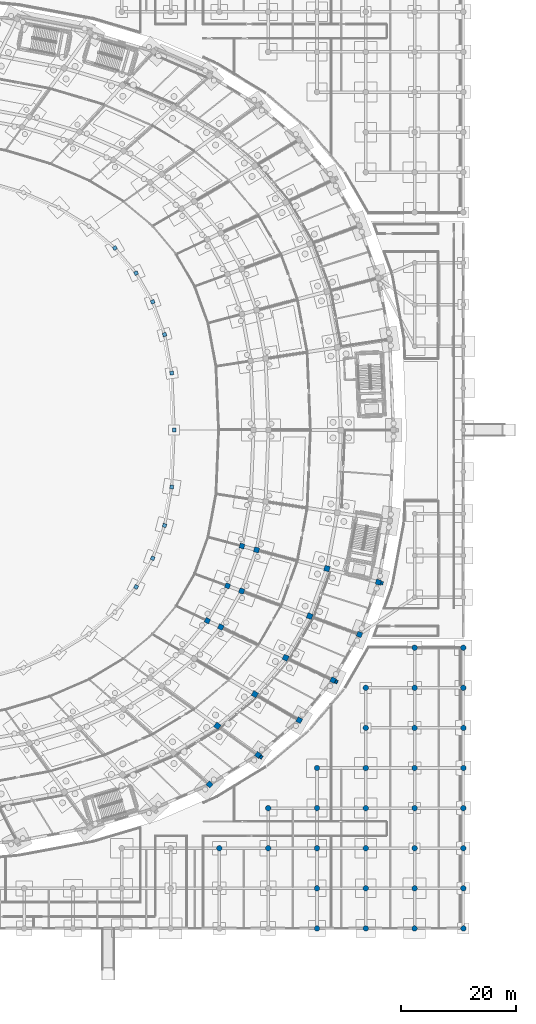
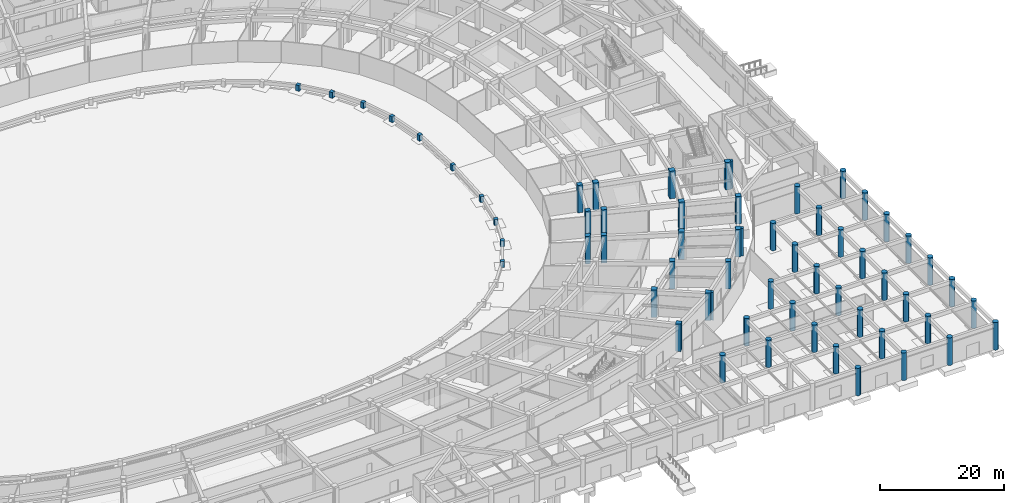
# One storey, part 19 of 88: 61 columns.
"""IFC4 building model written with IfcOpenShell, lengths in metres."""

import ifcopenshell
import ifcopenshell.guid

model = None  # the IFC model being written
_history = None  # IfcOwnerHistory: only IFC2X3 demands one
_inside = {}  # id of a spatial element -> (the spatial element, [elements in it])
_under = {}  # id of a project, library or spatial element -> (it, [spatial elements below it])
_declared = {}  # id of a project -> (the project, [libraries it declares])
_typed = {}  # id of a type object -> (the type object, [elements of that type])
_made_of = {}  # id of a material, layer set ... -> (it, [elements and type objects made of it])


def new_model(schema):
    """Start an empty IFC model of exactly this schema.

    Asked for "IFC4X3", IfcOpenShell would pick the latest addendum, in which some entities
    have other attributes; the version numbers below select the first issue.
    IFC2X3 requires an IfcOwnerHistory on every rooted entity: one is made here for all.
    """
    global model, _history
    if schema == "IFC4X3":
        model = ifcopenshell.file(schema_version=(4, 3, 0, 0))
    else:
        model = ifcopenshell.file(schema=schema)
    _inside.clear()
    _under.clear()
    _declared.clear()
    _typed.clear()
    _made_of.clear()
    _history = None
    if model.schema == "IFC2X3":
        org = make("IfcOrganization", Name="unknown")
        user = make(
            "IfcPersonAndOrganization",
            ThePerson=make("IfcPerson", FamilyName="unknown"),
            TheOrganization=org,
        )
        app = make(
            "IfcApplication",
            ApplicationDeveloper=org,
            Version="unknown",
            ApplicationFullName="unknown",
            ApplicationIdentifier="unknown",
        )
        _history = make(
            "IfcOwnerHistory",
            OwningUser=user,
            OwningApplication=app,
            ChangeAction="ADDED",
            CreationDate=0,
        )
    return model


def make(cls, **values):
    """One entity of the class cls with the attributes given. An attribute that is None is left unset."""
    return model.create_entity(
        cls, **{name: value for name, value in values.items() if value is not None}
    )


def rooted(cls, **values):
    """An entity with a GlobalId (a new one), such as an element, a storey or a relation."""
    return make(cls, GlobalId=ifcopenshell.guid.new(), OwnerHistory=_history, **values)


def si_unit(unit_type, name, prefix=None):
    """IfcSIUnit, for example si_unit("LENGTHUNIT", "METRE", prefix="MILLI")."""
    return make("IfcSIUnit", UnitType=unit_type, Prefix=prefix, Name=name)


def assignment(units):
    """IfcUnitAssignment: the units of a project."""
    return None if units is None else make("IfcUnitAssignment", Units=units)


def point(xyz):
    """IfcCartesianPoint."""
    return None if xyz is None else make("IfcCartesianPoint", Coordinates=xyz)


def direction(xyz):
    """IfcDirection."""
    return None if xyz is None else make("IfcDirection", DirectionRatios=xyz)


def frame(location, z_axis=None, x_axis=None):
    """IfcAxis2Placement3D, a coordinate frame: its origin and axes. An axis left out is left unset."""
    return make(
        "IfcAxis2Placement3D",
        Location=point(location),
        Axis=direction(z_axis),
        RefDirection=direction(x_axis),
    )


def frame_2d(location, x_axis=None):
    """IfcAxis2Placement2D, a coordinate frame in the plane: its origin and x axis."""
    return make(
        "IfcAxis2Placement2D", Location=point(location), RefDirection=direction(x_axis)
    )


def origin():
    """The frame at (0, 0, 0) with its axes left unset."""
    return frame((0.0, 0.0, 0.0))


def origin_2d():
    """The frame at (0, 0) in the plane with its x axis left unset."""
    return frame_2d((0.0, 0.0))


def place(relative_to, where):
    """IfcLocalPlacement: puts the frame where relative to a parent placement (None: the world)."""
    return make(
        "IfcLocalPlacement", PlacementRelTo=relative_to, RelativePlacement=where
    )


def context(
    kind, dimensions, precision=None, world=None, true_north=None, identifier=None
):
    """IfcGeometricRepresentationContext, for example the 3D "Model" context."""
    return make(
        "IfcGeometricRepresentationContext",
        ContextIdentifier=identifier,
        ContextType=kind,
        CoordinateSpaceDimension=dimensions,
        Precision=precision,
        WorldCoordinateSystem=world,
        TrueNorth=true_north,
    )


def subcontext(parent, identifier, kind, view, scale=None):
    """IfcGeometricRepresentationSubContext, for example "Body" below "Model"."""
    return make(
        "IfcGeometricRepresentationSubContext",
        ContextIdentifier=identifier,
        ContextType=kind,
        ParentContext=parent,
        TargetScale=scale,
        TargetView=view,
    )


def project(units=None, contexts=None):
    """IfcProject with its units and contexts."""
    return rooted(
        "IfcProject",
        Name="project",
        RepresentationContexts=contexts,
        UnitsInContext=assignment(units),
    )


def spatial(cls, under=None, at=None, **own):
    """A site, building, storey or space (cls), placed at a placement, below another one or the project."""
    s = rooted(cls, ObjectPlacement=at, **own)
    if under is not None:
        _under.setdefault(under.id(), (under, []))[1].append(s)
    return s


def profile(cls, at=None, kind="AREA", **sizes):
    """A parametric profile (cls). Its sizes go by their IFC names, for example OverallWidth=200.0."""
    return make(cls, ProfileType=kind, Position=at, **sizes)


def rectangle(**sizes):
    """IfcRectangleProfileDef."""
    return profile("IfcRectangleProfileDef", **sizes)


def circle(**sizes):
    """IfcCircleProfileDef."""
    return profile("IfcCircleProfileDef", **sizes)


def extrude(swept, where, along, depth):
    """IfcExtrudedAreaSolid: the profile swept, set in the frame where, extruded along a direction by depth."""
    return make(
        "IfcExtrudedAreaSolid",
        SweptArea=swept,
        Position=where,
        ExtrudedDirection=direction(along),
        Depth=depth,
    )


def shape(context_of_items, identifier, shape_type, items):
    """IfcShapeRepresentation: the items that make up one representation, for example the "Body"."""
    return make(
        "IfcShapeRepresentation",
        ContextOfItems=context_of_items,
        RepresentationIdentifier=identifier,
        RepresentationType=shape_type,
        Items=items,
    )


def material(Name=None, Category=None):
    """IfcMaterial."""
    return make("IfcMaterial", Name=Name, Category=Category)


def material_profile(
    of_material, cross_section, Name=None, Category=None, Priority=None
):
    """IfcMaterialProfile: a cross section and its material."""
    return make(
        "IfcMaterialProfile",
        Name=Name,
        Material=of_material,
        Profile=cross_section,
        Priority=Priority,
        Category=Category,
    )


def profile_set(profiles, Name=None, composite=None):
    """IfcMaterialProfileSet."""
    return make(
        "IfcMaterialProfileSet",
        Name=Name,
        MaterialProfiles=profiles,
        CompositeProfile=composite,
    )


def made_of(thing, what):
    """Note that an element or type object is made of a material, layer set ...; save() writes the relation."""
    if what is not None:
        _made_of.setdefault(what.id(), (what, []))[1].append(thing)
    return thing


def type_object(cls, material=None, **own):
    """A type object (cls), such as IfcWallType, which elements share."""
    return made_of(rooted(cls, **own), material)


def element(
    cls,
    number,
    at=None,
    inside=None,
    cuts=None,
    type_object=None,
    material=None,
    context=None,
    identifier="Body",
    shape_type=None,
    held_by="IfcProductDefinitionShape",
    body=None,
    shapes=None,
    **own,
):
    """One element of the class cls, such as IfcWall. Its Tag is "e" and its number.

    at: its placement. inside: the storey or other place that contains it. cuts: it is an
    opening in that element (IfcRelVoidsElement). A single representation is given by context,
    identifier, shape_type and body (its items); several are given by shapes. held_by: the class
    of the entity that holds the representations. save() writes the other relations.
    """
    e = rooted(cls, Tag="e%d" % number, ObjectPlacement=at, **own)
    if body is not None:
        shapes = [shape(context, identifier, shape_type, body)]
    if shapes is not None:
        e.Representation = make(held_by, Representations=shapes)
    if inside is not None:
        _inside.setdefault(inside.id(), (inside, []))[1].append(e)
    if cuts is not None:
        rooted(
            "IfcRelVoidsElement", RelatingBuildingElement=cuts, RelatedOpeningElement=e
        )
    if type_object is not None:
        _typed.setdefault(type_object.id(), (type_object, []))[1].append(e)
    return made_of(e, material)


def aggregate(whole, parts):
    """IfcRelAggregates: a whole, such as a stair, and the parts it consists of."""
    return rooted("IfcRelAggregates", RelatingObject=whole, RelatedObjects=parts)


def save(model, path):
    """Write the relations noted so far, then the file.

    IfcRelAggregates (storeys below a building ...), IfcRelContainedInSpatialStructure (elements
    in a storey), IfcRelDefinesByType, IfcRelAssociatesMaterial and IfcRelDeclares: one each for
    every whole, place, type object, material and project.
    """
    for whole, parts in _under.values():
        aggregate(whole, parts)
    for where, things in _inside.values():
        rooted(
            "IfcRelContainedInSpatialStructure",
            RelatedElements=things,
            RelatingStructure=where,
        )
    for kind, things in _typed.values():
        rooted("IfcRelDefinesByType", RelatedObjects=things, RelatingType=kind)
    for what, things in _made_of.values():
        rooted("IfcRelAssociatesMaterial", RelatedObjects=things, RelatingMaterial=what)
    for by, libraries in _declared.values():
        rooted("IfcRelDeclares", RelatingContext=by, RelatedDefinitions=libraries)
    model.write(path)


model = new_model("IFC4")

# Units and contexts
model_context = context("Model", 3, precision=1e-05, world=origin(), true_north=direction((0.0, 1.0)))
body_context = subcontext(model_context, "Body", "Model", "MODEL_VIEW")
ifc_project = project(units=[si_unit("LENGTHUNIT", "METRE"), si_unit("AREAUNIT", "SQUARE_METRE"), si_unit("VOLUMEUNIT", "CUBIC_METRE"), si_unit("PLANEANGLEUNIT", "RADIAN"), si_unit("MASSUNIT", "GRAM", prefix="KILO")], contexts=[model_context])

# Site, building, storey
site_placement = place(None, origin())
site = spatial("IfcSite", under=ifc_project, at=site_placement, CompositionType="ELEMENT")
building_placement = place(site_placement, origin())
building = spatial("IfcBuilding", under=site, at=building_placement, Name="Mphavela Belvedere Stadium", CompositionType="ELEMENT")
storey_placement = place(building_placement, origin())
storey = spatial("IfcBuildingStorey", under=building, at=storey_placement, Name="L00", CompositionType="ELEMENT", Elevation=0.0)

# Columns
ifc_material_1 = material(Name="Concrete C40/50", Category="concrete")
ifc_material_profile_1 = material_profile(ifc_material_1, circle(Radius=0.47509765625, at=origin_2d()), Name="COL D950")
ifc_profile_set_1 = profile_set([ifc_material_profile_1], Name="Concrete C40/50")
column_type_1 = type_object("IfcColumnType", Name="COL-DORIC-950", PredefinedType="COLUMN", material=ifc_profile_set_1)
for number, where, z_axis, x_axis, name in (
    (1, (187.406982421875, 14.0, 0.0), (0.0, 0.0, 1.0), (1.0, 0.0, 0.0), "South Axial Triumphal Peristyle Portico classical column L00 23-3"),
    (2, (195.926025390625, 14.0, 0.0), (0.0, 0.0, 1.0), (1.0, 0.0, 0.0), "South Axial Triumphal Peristyle Portico classical column L00 24-3"),
    (3, (195.926025390625, 21.0, 0.0), (0.0, 0.0, 1.0), (1.0, 0.0, 0.0), "South Axial Triumphal Peristyle Portico classical column L00 24-4"),
    (4, (204.444091796875, 0.0, 0.0), (0.0, 0.0, 1.0), (1.0, 0.0, 0.0), "South Axial Triumphal Peristyle Portico classical column L00 25-1"),
    (5, (204.444091796875, 7.0, 0.0), (0.0, 0.0, 1.0), (1.0, 0.0, 0.0), "South Axial Triumphal Peristyle Portico classical column L00 25-2"),
    (6, (204.444091796875, 14.0, 0.0), (0.0, 0.0, 1.0), (1.0, 0.0, 0.0), "South Axial Triumphal Peristyle Portico classical column L00 25-3"),
    (7, (204.444091796875, 21.0, 0.0), (0.0, 0.0, 1.0), (1.0, 0.0, 0.0), "South Axial Triumphal Peristyle Portico classical column L00 25-4"),
    (8, (204.444091796875, 28.0, 0.0), (0.0, 0.0, 1.0), (1.0, 0.0, 0.0), "South Axial Triumphal Peristyle Portico classical column L00 25-5"),
    (9, (212.962890625, 0.0, 0.0), (0.0, 0.0, 1.0), (1.0, 0.0, 0.0), "South Axial Triumphal Peristyle Portico classical column L00 26-1"),
    (10, (212.962890625, 7.0, 0.0), (0.0, 0.0, 1.0), (1.0, 0.0, 0.0), "South Axial Triumphal Peristyle Portico classical column L00 26-2"),
    (11, (212.962890625, 14.0, 0.0), (0.0, 0.0, 1.0), (1.0, 0.0, 0.0), "South Axial Triumphal Peristyle Portico classical column L00 26-3"),
    (12, (212.962890625, 21.0, 0.0), (0.0, 0.0, 1.0), (1.0, 0.0, 0.0), "South Axial Triumphal Peristyle Portico classical column L00 26-4"),
    (13, (212.962890625, 28.0, 0.0), (0.0, 0.0, 1.0), (1.0, 0.0, 0.0), "South Axial Triumphal Peristyle Portico classical column L00 26-5"),
    (14, (212.962890625, 35.0, 0.0), (0.0, 0.0, 1.0), (1.0, 0.0, 0.0), "South Axial Triumphal Peristyle Portico classical column L00 26-6"),
    (15, (212.962890625, 42.0, 0.0), (0.0, 0.0, 1.0), (1.0, 0.0, 0.0), "South Axial Triumphal Peristyle Portico classical column L00 26-7"),
    (16, (221.48095703125, 0.0, 0.0), (0.0, 0.0, 1.0), (1.0, 0.0, 0.0), "South Axial Triumphal Peristyle Portico classical column L00 27-1"),
    (17, (221.48095703125, 7.0, 0.0), (0.0, 0.0, 1.0), (1.0, 0.0, 0.0), "South Axial Triumphal Peristyle Portico classical column L00 27-2"),
    (18, (221.48095703125, 14.0, 0.0), (0.0, 0.0, 1.0), (1.0, 0.0, 0.0), "South Axial Triumphal Peristyle Portico classical column L00 27-3"),
    (19, (221.48095703125, 21.0, 0.0), (0.0, 0.0, 1.0), (1.0, 0.0, 0.0), "South Axial Triumphal Peristyle Portico classical column L00 27-4"),
    (20, (221.48095703125, 28.0, 0.0), (0.0, 0.0, 1.0), (1.0, 0.0, 0.0), "South Axial Triumphal Peristyle Portico classical column L00 27-5"),
    (21, (221.48095703125, 35.0, 0.0), (0.0, 0.0, 1.0), (1.0, 0.0, 0.0), "South Axial Triumphal Peristyle Portico classical column L00 27-6"),
    (22, (221.48095703125, 42.0, 0.0), (0.0, 0.0, 1.0), (1.0, 0.0, 0.0), "South Axial Triumphal Peristyle Portico classical column L00 27-7"),
    (23, (221.48095703125, 49.0, 0.0), (0.0, 0.0, 1.0), (1.0, 0.0, 0.0), "South Axial Triumphal Peristyle Portico classical column L00 27-8"),
    (24, (230.0, 0.0, 0.0), (0.0, 0.0, 1.0), (1.0, 0.0, 0.0), "South Axial Triumphal Peristyle Portico classical column L00 28-1"),
    (25, (230.0, 7.0, 0.0), (0.0, 0.0, 1.0), (1.0, 0.0, 0.0), "South Axial Triumphal Peristyle Portico classical column L00 28-2"),
    (26, (230.0, 14.0, 0.0), (0.0, 0.0, 1.0), (1.0, 0.0, 0.0), "South Axial Triumphal Peristyle Portico classical column L00 28-3"),
    (27, (230.0, 21.0, 0.0), (0.0, 0.0, 1.0), (1.0, 0.0, 0.0), "South Axial Triumphal Peristyle Portico classical column L00 28-4"),
    (28, (230.0, 28.0, 0.0), (0.0, 0.0, 1.0), (1.0, 0.0, 0.0), "South Axial Triumphal Peristyle Portico classical column L00 28-5"),
    (29, (230.0, 35.0, 0.0), (0.0, 0.0, 1.0), (1.0, 0.0, 0.0), "South Axial Triumphal Peristyle Portico classical column L00 28-6"),
    (30, (230.0, 42.0, 0.0), (0.0, 0.0, 1.0), (1.0, 0.0, 0.0), "South Axial Triumphal Peristyle Portico classical column L00 28-7"),
    (31, (230.0, 49.0, 0.0), (0.0, 0.0, 1.0), (1.0, 0.0, 0.0), "South Axial Triumphal Peristyle Portico classical column L00 28-8"),
):
    element("IfcColumn", number, at=place(storey_placement, frame(where, z_axis=z_axis, x_axis=x_axis)), inside=storey, type_object=column_type_1, Name=name, PredefinedType="COLUMN", context=body_context, shape_type="SweptSolid", body=[
        extrude(circle(Radius=0.47509765625, at=origin_2d()), origin(), (0.0, 0.0, 1.0), 5.39990234375),
    ])
ifc_material_2 = material(Name="Concrete C40/50", Category="concrete")
ifc_material_profile_2 = material_profile(ifc_material_2, rectangle(XDim=0.64990234375, YDim=0.64990234375, at=origin_2d()), Name="RC 650x650")
ifc_profile_set_2 = profile_set([ifc_material_profile_2], Name="Concrete C40/50")
column_type_2 = type_object("IfcColumnType", Name="COL-RC650", PredefinedType="COLUMN", material=ifc_profile_set_2)
for number, where, z_axis, x_axis, name in (
    (32, (179.5048828125, 87.0, 0.0), (0.0, 0.0, 1.0), (1.0, 0.0, 0.0), "Lower tier plinth column 01"),
    (33, (179.088134765625, 96.9404296875, 0.0), (0.0, 0.0, 1.0), (0.98817491911, 0.153330783737, 0.0), "Lower tier plinth column 02"),
    (34, (177.839111328125, 103.664306640625, 0.0), (0.0, 0.0, 1.0), (0.966600102017, 0.256289373133, 0.0), "Lower tier plinth column 03"),
    (35, (175.763427734375, 109.385498046875, 0.0), (0.0, 0.0, 1.0), (0.938372433776, 0.34562577382, 0.0), "Lower tier plinth column 04"),
    (36, (172.869140625, 114.391357421875, 0.0), (0.0, 0.0, 1.0), (0.903858661687, 0.4278311813, 0.0), "Lower tier plinth column 05"),
    (37, (169.1650390625, 118.77783203125, 0.0), (0.0, 0.0, 1.0), (0.862513669207, 0.506033764121, 0.0), "Lower tier plinth column 06"),
    (38, (172.869140625, 59.608642578125, 0.0), (0.0, 0.0, 1.0), (0.903858661687, -0.4278311813, 0.0), "Lower tier plinth column 45"),
    (39, (175.763427734375, 64.614501953125, 0.0), (0.0, 0.0, 1.0), (0.938372433776, -0.34562577382, 0.0), "Lower tier plinth column 46"),
    (40, (177.839111328125, 70.335693359375, 0.0), (0.0, 0.0, 1.0), (0.966600102017, -0.256289373133, 0.0), "Lower tier plinth column 47"),
    (41, (179.088134765625, 77.0595703125, 0.0), (0.0, 0.0, 1.0), (0.98817491911, -0.153330783737, 0.0), "Lower tier plinth column 48"),
):
    element("IfcColumn", number, at=place(storey_placement, frame(where, z_axis=z_axis, x_axis=x_axis)), inside=storey, type_object=column_type_2, Name=name, PredefinedType="COLUMN", context=body_context, shape_type="SweptSolid", body=[
        extrude(rectangle(XDim=0.64990234375, YDim=0.64990234375, at=origin_2d()), origin(), (0.0, 0.0, 1.0), 1.14990234375),
    ])
ifc_material_3 = material(Name="Concrete C40/50", Category="concrete")
ifc_material_profile_3 = material_profile(ifc_material_3, rectangle(XDim=0.85009765625, YDim=0.85009765625, at=origin_2d()), Name="RC 850x850")
ifc_profile_set_3 = profile_set([ifc_material_profile_3], Name="Concrete C40/50")
column_type_3 = type_object("IfcColumnType", Name="COL-RC850", PredefinedType="COLUMN", material=ifc_profile_set_3)
for number, where, z_axis, x_axis, name in (
    (42, (185.31298828125, 53.718505859375, 0.0), (0.0, 0.0, 1.0), (0.903858661687, -0.4278311813, 0.0), "Inner concourse column L00 R1-45"),
    (43, (188.829833984375, 59.80078125, 0.0), (0.0, 0.0, 1.0), (0.938372433776, -0.34562577382, 0.0), "Inner concourse column L00 R1-46"),
    (44, (191.351806640625, 66.75244140625, 0.0), (0.0, 0.0, 1.0), (0.966600102017, -0.256289373133, 0.0), "Inner concourse column L00 R1-47"),
):
    element("IfcColumn", number, at=place(storey_placement, frame(where, z_axis=z_axis, x_axis=x_axis)), inside=storey, type_object=column_type_3, Name=name, PredefinedType="COLUMN", context=body_context, shape_type="SweptSolid", body=[
        extrude(rectangle(XDim=0.85009765625, YDim=0.85009765625, at=origin_2d()), origin(), (0.0, 0.0, 1.0), 5.39990234375),
    ])
ifc_material_4 = material(Name="Concrete C40/50", Category="concrete")
ifc_material_profile_4 = material_profile(ifc_material_4, rectangle(XDim=0.89990234375, YDim=0.89990234375, at=origin_2d()), Name="RC 900x900")
ifc_profile_set_4 = profile_set([ifc_material_profile_4], Name="Concrete C40/50")
column_type_4 = type_object("IfcColumnType", Name="COL-RC900", PredefinedType="COLUMN", material=ifc_profile_set_4)
for number, where, z_axis, x_axis, name in (
    (45, (185.6962890625, 25.13916015625, 0.0), (0.0, 0.0, 1.0), (0.752529860433, -0.658558128912, 0.0), "Outer colonnade column L00 R4-42"),
    (46, (194.155517578125, 30.285400390625, 0.0), (0.0, 0.0, 1.0), (0.812897512265, -0.582406760395, 0.0), "Outer colonnade column L00 R4-43"),
    (47, (201.33837890625, 36.346435546875, 0.0), (0.0, 0.0, 1.0), (0.862513669207, -0.506033764121, 0.0), "Outer colonnade column L00 R4-44"),
    (48, (187.66259765625, 52.606201171875, 0.0), (0.0, 0.0, 1.0), (0.903858661687, -0.4278311813, 0.0), "Middle concourse column L00 R2-45"),
    (49, (207.242431640625, 43.33837890625, 0.0), (0.0, 0.0, 1.0), (0.903858661687, -0.4278311813, 0.0), "Outer colonnade column L00 R4-45"),
    (50, (191.297119140625, 58.891845703125, 0.0), (0.0, 0.0, 1.0), (0.938372433776, -0.34562577382, 0.0), "Middle concourse column L00 R2-46"),
    (51, (211.856201171875, 51.317626953125, 0.0), (0.0, 0.0, 1.0), (0.938372433776, -0.34562577382, 0.0), "Outer colonnade column L00 R4-46"),
    (52, (193.9033203125, 66.07568359375, 0.0), (0.0, 0.0, 1.0), (0.966600102017, -0.256289373133, 0.0), "Middle concourse column L00 R2-47"),
    (53, (215.16455078125, 60.4375, 0.0), (0.0, 0.0, 1.0), (0.966600102017, -0.256289373133, 0.0), "Outer colonnade column L00 R4-47"),
):
    element("IfcColumn", number, at=place(storey_placement, frame(where, z_axis=z_axis, x_axis=x_axis)), inside=storey, type_object=column_type_4, Name=name, PredefinedType="COLUMN", context=body_context, shape_type="SweptSolid", body=[
        extrude(rectangle(XDim=0.89990234375, YDim=0.89990234375, at=origin_2d()), origin(), (0.0, 0.0, 1.0), 5.39990234375),
    ])
ifc_material_5 = material(Name="Concrete C40/50", Category="concrete")
ifc_material_profile_5 = material_profile(ifc_material_5, rectangle(XDim=0.949951171875, YDim=0.949951171875, at=origin_2d()), Name="RC 950x950")
ifc_profile_set_5 = profile_set([ifc_material_profile_5], Name="Concrete C40/50")
column_type_5 = type_object("IfcColumnType", Name="COL-RC950", PredefinedType="COLUMN", material=ifc_profile_set_5)
for number, where, z_axis, x_axis, name in (
    (54, (187.061279296875, 35.368408203125, 0.0), (0.0, 0.0, 1.0), (0.812897512265, -0.582406760395, 0.0), "Main bowl column L00 R3-43"),
    (55, (193.600341796875, 40.88623046875, 0.0), (0.0, 0.0, 1.0), (0.862513669207, -0.506033764121, 0.0), "Main bowl column L00 R3-44"),
    (56, (198.9755859375, 47.251708984375, 0.0), (0.0, 0.0, 1.0), (0.903858661687, -0.4278311813, 0.0), "Main bowl column L00 R3-45"),
    (57, (203.175537109375, 54.515625, 0.0), (0.0, 0.0, 1.0), (0.938372433776, -0.34562577382, 0.0), "Main bowl column L00 R3-46"),
    (58, (206.1875, 62.818115234375, 0.0), (0.0, 0.0, 1.0), (0.966600102017, -0.256289373133, 0.0), "Main bowl column L00 R3-47"),
):
    element("IfcColumn", number, at=place(storey_placement, frame(where, z_axis=z_axis, x_axis=x_axis)), inside=storey, type_object=column_type_5, Name=name, PredefinedType="COLUMN", context=body_context, shape_type="SweptSolid", body=[
        extrude(rectangle(XDim=0.949951171875, YDim=0.949951171875, at=origin_2d()), origin(), (0.0, 0.0, 1.0), 5.39990234375),
    ])
ifc_material_6 = material(Name="Concrete C40/50", Category="concrete")
ifc_material_profile_6 = material_profile(ifc_material_6, rectangle(XDim=0.60009765625, YDim=0.39990234375, at=origin_2d()), Name="PIL 600x400")
ifc_profile_set_6 = profile_set([ifc_material_profile_6], Name="Concrete C40/50")
column_type_6 = type_object("IfcColumnType", Name="PIL-FLUTED-600", PredefinedType="PILASTER", material=ifc_profile_set_6)
for number, where, z_axis, x_axis, name in (
    (59, (194.686279296875, 29.9052734375, 0.0), (0.0, 0.0, 1.0), (0.582406760395, 0.812897512265, 0.0), "Fluted classical pilaster L00-43"),
    (60, (207.832763671875, 43.05908203125, 0.0), (0.0, 0.0, 1.0), (0.4278311813, 0.903858661687, 0.0), "Fluted classical pilaster L00-45"),
    (61, (215.7958984375, 60.27001953125, 0.0), (0.0, 0.0, 1.0), (0.256289373133, 0.966600102017, 0.0), "Fluted classical pilaster L00-47"),
):
    element("IfcColumn", number, at=place(storey_placement, frame(where, z_axis=z_axis, x_axis=x_axis)), inside=storey, type_object=column_type_6, Name=name, PredefinedType="PILASTER", context=body_context, shape_type="SweptSolid", body=[
        extrude(rectangle(XDim=0.60009765625, YDim=0.39990234375, at=origin_2d()), origin(), (0.0, 0.0, 1.0), 5.39990234375),
    ])

save(model, "model.ifc")
